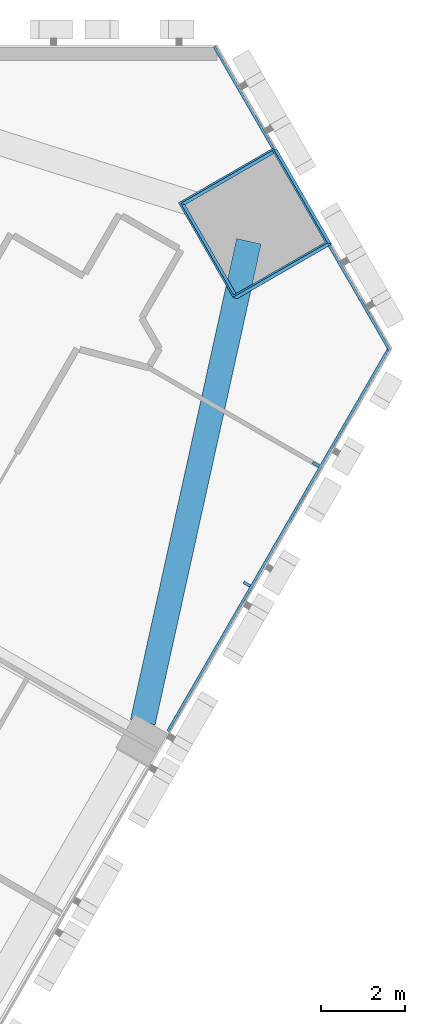
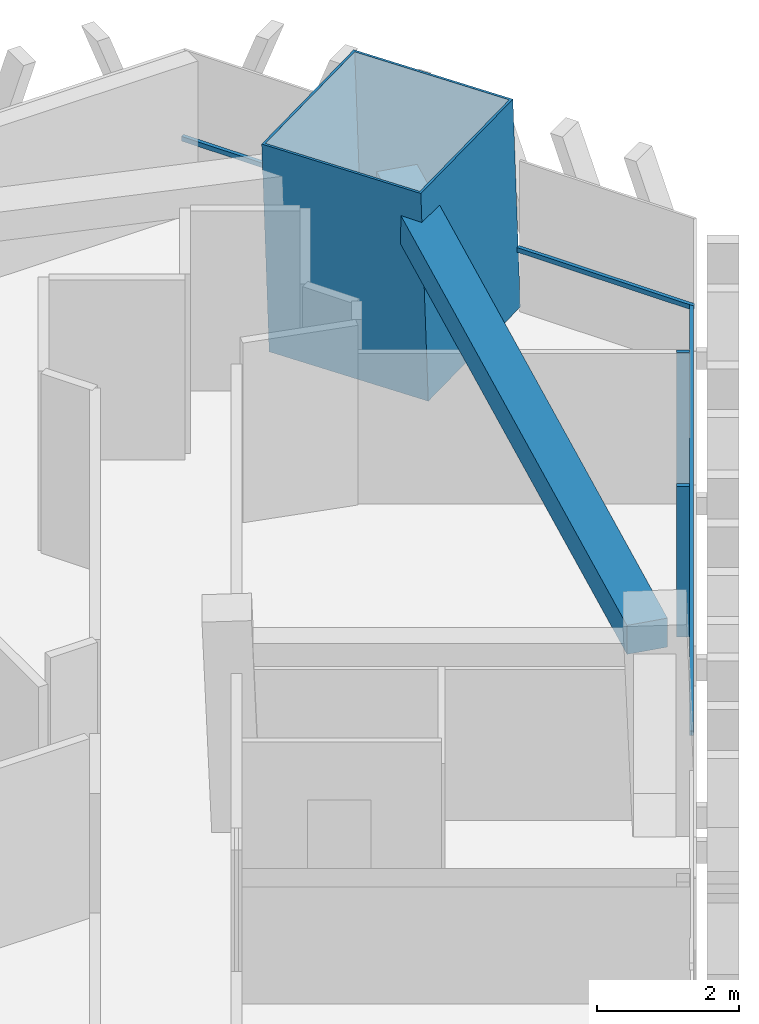
# One storey, part 7 of 16: 6 members, 1 beam, 2 elements without a shape of their own.
"""IFC4 building model written with IfcOpenShell, lengths in metres."""

from ifc_helpers import new_model, si_unit, direction, frame, origin, origin_2d, place, context, subcontext, project, spatial, rectangle, hollow_rectangle, extrude, material, layer, layer_set, material_profile, profile_set, type_object, element, aggregate, save


model = new_model("IFC4")

# Units and contexts
model_context = context("Model", 3, precision=1e-05, world=origin(), true_north=direction((0.0, 1.0)))
body_context = subcontext(model_context, "Body", "Model", "MODEL_VIEW")
ifc_project = project(units=[si_unit("LENGTHUNIT", "METRE"), si_unit("AREAUNIT", "SQUARE_METRE"), si_unit("VOLUMEUNIT", "CUBIC_METRE"), si_unit("PLANEANGLEUNIT", "RADIAN"), si_unit("MASSUNIT", "GRAM", prefix="KILO")], contexts=[model_context])

# Site, building, storey
site_placement = place(None, origin())
site = spatial("IfcSite", under=ifc_project, at=site_placement, CompositionType="ELEMENT")
building_placement = place(site_placement, origin())
building = spatial("IfcBuilding", under=site, at=building_placement, Name="Altiplano Prism Tower", CompositionType="ELEMENT")
storey_placement = place(building_placement, frame((0.0, 0.0, 104.39990234375)))
storey = spatial("IfcBuildingStorey", under=building, at=storey_placement, Name="L26", CompositionType="ELEMENT", Elevation=104.39990234375)

# Curtain wall, members
ifc_material_1 = material(Name="Aluminium and glass", Category="aluminium")
ifc_layer = layer(ifc_material_1, 0.280029296875)
ifc_layer_set = layer_set([ifc_layer], Name="Aluminium and glass")
curtain_wall_type = type_object("IfcCurtainWallType", Name="CW1 typical co-living unitised curtain wall", PredefinedType="NOTDEFINED", material=ifc_layer_set)
curtain_wall_1_placement = place(storey_placement, origin())
curtain_wall_1 = element("IfcCurtainWall", 1, at=curtain_wall_1_placement, inside=storey, type_object=curtain_wall_type, Name="CW1 curtain wall south-east face L26", PredefinedType="NOTDEFINED")
ifc_material_2 = material(Name="Aluminium", Category="aluminium")
ifc_material_profile_1 = material_profile(ifc_material_2, rectangle(XDim=0.179931640625, YDim=0.06494140625, at=origin_2d()), Name="CW1 mullion 65 x 180")
ifc_profile_set_1 = profile_set([ifc_material_profile_1], Name="Aluminium")
member_type_1 = type_object("IfcMemberType", Name="CW1 mullion 65 x 180", PredefinedType="MULLION", material=ifc_profile_set_1)
member_1_placement = place(storey_placement, frame((110.30224609375, 92.162109375, 0.0), z_axis=(0.0, 0.0, 1.0), x_axis=(-0.866025401838, 0.500000003371, 0.0)))
member_1 = element("IfcMember", 2, at=member_1_placement, type_object=member_type_1, Name="CW1 mullion", PredefinedType="MULLION", context=body_context, shape_type="SweptSolid", body=[
    extrude(rectangle(XDim=0.179931640625, YDim=0.06494140625, at=origin_2d()), origin(), (0.0, 0.0, 1.0), 2.60009765625),
])
member_2_placement = place(storey_placement, frame((111.94921875, 95.01513671875, 0.0), z_axis=(0.0, 0.0, 1.0), x_axis=(-0.866025401838, 0.500000003371, 0.0)))
member_2 = element("IfcMember", 3, at=member_2_placement, type_object=member_type_1, Name="CW1 mullion", PredefinedType="MULLION", context=body_context, shape_type="SweptSolid", body=[
    extrude(rectangle(XDim=0.179931640625, YDim=0.06494140625, at=origin_2d()), origin(), (0.0, 0.0, 1.0), 2.60009765625),
])
ifc_material_profile_2 = material_profile(ifc_material_2, rectangle(XDim=0.06005859375, YDim=0.080078125, at=origin_2d()), Name="CW1 transom 80 x 60")
ifc_profile_set_2 = profile_set([ifc_material_profile_2], Name="Aluminium")
member_type_2 = type_object("IfcMemberType", Name="CW1 transom 80 x 60", PredefinedType="USERDEFINED", material=ifc_profile_set_2)
member_3_placement = place(storey_placement, frame((108.4208984375, 88.66357421875, 1.10009765625), z_axis=(0.500005994294, 0.86602194295, 0.0), x_axis=(-0.86602194295, 0.500005994294, 0.0)))
member_3 = element("IfcMember", 4, at=member_3_placement, type_object=member_type_2, Name="CW1 transom", ObjectType="TRANSOM", PredefinedType="USERDEFINED", context=body_context, shape_type="SweptSolid", body=[
    extrude(rectangle(XDim=0.06005859375, YDim=0.080078125, at=origin_2d()), origin(), (0.0, 0.0, 1.0), 10.558837890625),
])
aggregate(curtain_wall_1, [member_1, member_2, member_3])

curtain_wall_2_placement = place(storey_placement, origin())
curtain_wall_2 = element("IfcCurtainWall", 5, at=curtain_wall_2_placement, inside=storey, type_object=curtain_wall_type, Name="CW1 curtain wall north-east chamfer L26", PredefinedType="NOTDEFINED")
member_4_placement = place(storey_placement, frame((113.700439453125, 97.73779296875, 1.10009765625), z_axis=(-0.500051038308, 0.865995934798, 0.0), x_axis=(-0.865995934798, -0.500051038308, 0.0)))
member_4 = element("IfcMember", 6, at=member_4_placement, type_object=member_type_2, Name="CW1 transom", ObjectType="TRANSOM", PredefinedType="USERDEFINED", context=body_context, shape_type="SweptSolid", body=[
    extrude(rectangle(XDim=0.06005859375, YDim=0.080078125, at=origin_2d()), origin(), (0.0, 0.0, 1.0), 2.872802734375),
])
member_5_placement = place(storey_placement, frame((110.924072265625, 102.546630859375, 1.10009765625), z_axis=(-0.49998480324, 0.86603417746, 0.0), x_axis=(-0.86603417746, -0.49998480324, 0.0)))
member_5 = element("IfcMember", 7, at=member_5_placement, type_object=member_type_2, Name="CW1 transom", ObjectType="TRANSOM", PredefinedType="USERDEFINED", context=body_context, shape_type="SweptSolid", body=[
    extrude(rectangle(XDim=0.06005859375, YDim=0.080078125, at=origin_2d()), origin(), (0.0, 0.0, 1.0), 2.79248046875),
])
aggregate(curtain_wall_2, [member_4, member_5])

# Beam
ifc_material_3 = material(Name="Concrete C60/75", Category="concrete")
ifc_material_profile_3 = material_profile(ifc_material_3, rectangle(XDim=0.60009765625, YDim=0.5, at=origin_2d()), Name="Edge beam 600x500")
ifc_profile_set_3 = profile_set([ifc_material_profile_3], Name="Concrete C60/75")
beam_type = type_object("IfcBeamType", Name="Edge beam 600x500", PredefinedType="SPANDREL", material=ifc_profile_set_3)
beam_placement = place(storey_placement, frame((107.822998046875, 88.87744140625, 2.85009765625), z_axis=(0.215429214467, 0.976519458871, 0.0), x_axis=(-0.976519458871, 0.215429214467, 0.0)))
element("IfcBeam", 8, at=beam_placement, inside=storey, type_object=beam_type, Name="Edge beam P24-M2 L27", PredefinedType="SPANDREL", context=body_context, shape_type="SweptSolid", body=[
    extrude(rectangle(XDim=0.60009765625, YDim=0.5, at=origin_2d()), origin(), (0.0, 0.0, 1.0), 11.728271484375),
])

# Member
ifc_material_4 = material(Name="Steel S460", Category="steel")
ifc_material_profile_4 = material_profile(ifc_material_4, hollow_rectangle(XDim=2.60009765625, YDim=2.60009765625, WallThickness=0.0400390625, at=origin_2d()), Name="Mega column tube 2600")
ifc_profile_set_4 = profile_set([ifc_material_profile_4], Name="Steel S460")
member_type_3 = type_object("IfcMemberType", Name="Mega column tube 2600", PredefinedType="POST", material=ifc_profile_set_4)
member_6_placement = place(storey_placement, frame((110.548828125, 100.736328125, 0.0), z_axis=(-0.028401796786, 0.009286506348, 0.999553449666), x_axis=(0.498886368713, -0.866382390598, 0.022224859352)))
element("IfcMember", 9, at=member_6_placement, inside=storey, type_object=member_type_3, Name="Mega column tube M2 L26", PredefinedType="POST", context=body_context, shape_type="SweptSolid", body=[
    extrude(hollow_rectangle(XDim=2.60009765625, YDim=2.60009765625, WallThickness=0.0400390625, at=origin_2d()), origin(), (0.0, 0.0, 1.0), 3.601806640625),
])

save(model, "model.ifc")
